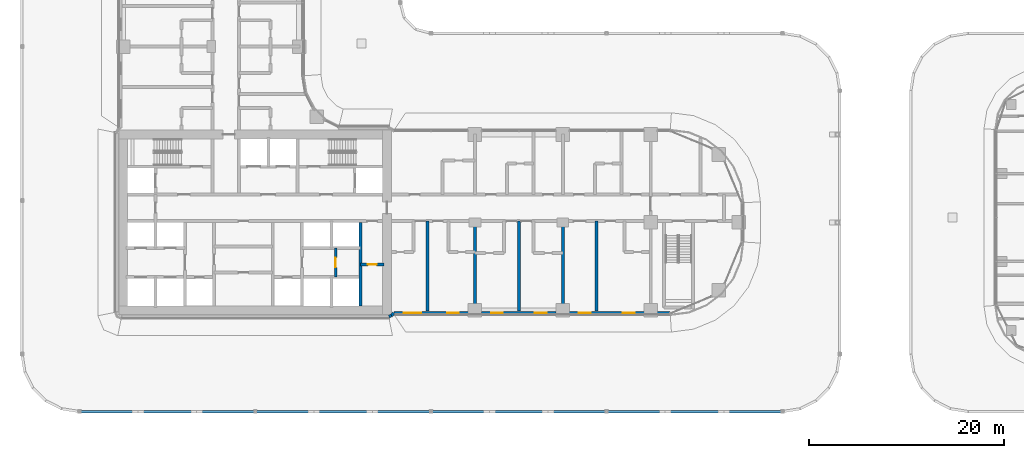
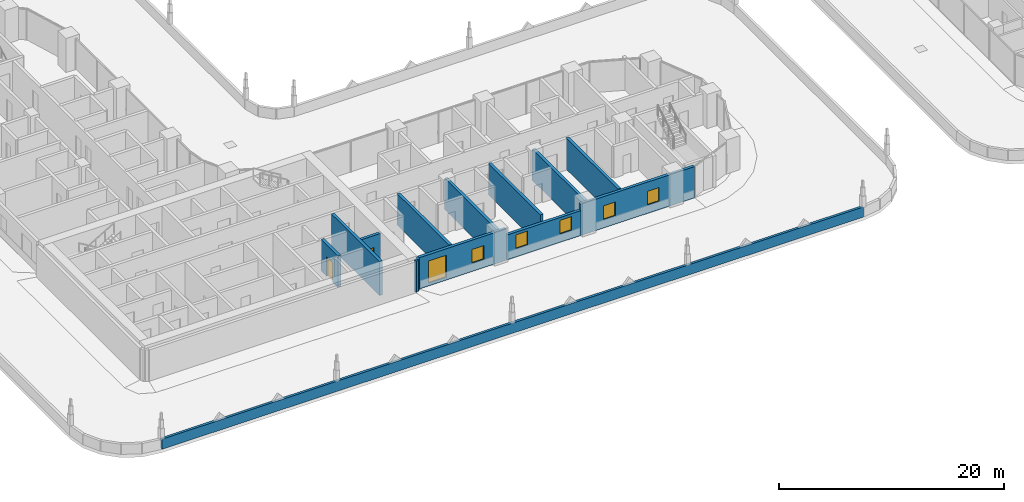
# One storey, part 23 of 51: 14 walls, 6 windows, 2 doors, 8 openings.
"""IFC4 building model written with IfcOpenShell, lengths in metres."""

from ifc_helpers import new_model, si_unit, direction, frame, frame_2d, origin, place, context, subcontext, project, spatial, rectangle, extrude, material, layer, layer_set, type_object, element, fill, save


model = new_model("IFC4")

# Units and contexts
model_context = context("Model", 3, precision=1e-05, world=origin(), true_north=direction((0.0, 1.0)))
body_context = subcontext(model_context, "Body", "Model", "MODEL_VIEW")
ifc_project = project(units=[si_unit("LENGTHUNIT", "METRE"), si_unit("AREAUNIT", "SQUARE_METRE"), si_unit("VOLUMEUNIT", "CUBIC_METRE"), si_unit("PLANEANGLEUNIT", "RADIAN"), si_unit("MASSUNIT", "GRAM", prefix="KILO")], contexts=[model_context])

# Site, building, storey
site_placement = place(None, origin())
site = spatial("IfcSite", under=ifc_project, at=site_placement, CompositionType="ELEMENT")
building_placement = place(site_placement, origin())
building = spatial("IfcBuilding", under=site, at=building_placement, Name="Ogive Portal Towers", CompositionType="ELEMENT")
storey_placement = place(building_placement, frame((0.0, 0.0, 33.5)))
storey = spatial("IfcBuildingStorey", under=building, at=storey_placement, Name="L06", CompositionType="ELEMENT", Elevation=33.5)

# Walls
ifc_material_1 = material(Name="Concrete C60/75", Category="concrete")
ifc_layer_1 = layer(ifc_material_1, 0.300048828125)
ifc_layer_set_1 = layer_set([ifc_layer_1], Name="CORE WALL 300 C60")
wall_type_1 = type_object("IfcWallType", Name="CORE WALL 300 C60", PredefinedType="SHEAR", material=ifc_layer_set_1)
wall_1_placement = place(storey_placement, frame((55.800048828125, 21.949951171875, 0.0), z_axis=(0.0, 0.0, 1.0), x_axis=(0.0, 1.0, 0.0)))
element("IfcWall", 1, at=wall_1_placement, inside=storey, type_object=wall_type_1, Name="Core wall X5 L06", PredefinedType="SHEAR", context=body_context, shape_type="SweptSolid", body=[
    extrude(rectangle(XDim=8.550048828125, YDim=0.300048828125, at=frame_2d((4.27490234375, 0.0))), origin(), (0.0, 0.0, 1.0), 3.699951171875),
])
ifc_material_2 = material(Name="Limestone cladding on lightweight block wall", Category="masonry")
ifc_layer_2 = layer(ifc_material_2, 0.300048828125)
ifc_layer_set_2 = layer_set([ifc_layer_2], Name="EXTERNAL WALL 300 STONE")
wall_type_2 = type_object("IfcWallType", Name="EXTERNAL WALL 300 STONE", PredefinedType="SOLIDWALL", material=ifc_layer_set_2)
wall_2_placement = place(storey_placement, frame((58.69775390625, 20.861328125, 0.0), z_axis=(0.0, 0.0, 1.0), x_axis=(0.923757413239, 0.38297812142, 0.0)))
element("IfcWall", 2, at=wall_2_placement, inside=storey, type_object=wall_type_2, Name="A:L06:f19:r0:wall", PredefinedType="SOLIDWALL", context=body_context, shape_type="SweptSolid", body=[
    extrude(rectangle(XDim=0.275390625, YDim=0.300048828125, at=frame_2d((0.1376953125, 0.0))), origin(), (0.0, 0.0, 1.0), 3.39990234375),
])
wall_3_placement = place(storey_placement, frame((58.9521484375, 20.966796875, 0.0), z_axis=(0.0, 0.0, 1.0), x_axis=(0.702144810536, 0.712034174065, 0.0)))
element("IfcWall", 3, at=wall_3_placement, inside=storey, type_object=wall_type_2, Name="A:L06:f20:r0:wall", PredefinedType="SOLIDWALL", context=body_context, shape_type="SweptSolid", body=[
    extrude(rectangle(XDim=0.345703125, YDim=0.300048828125, at=frame_2d((0.1728515625, 0.0))), origin(), (0.0, 0.0, 1.0), 3.39990234375),
])

# Wall, openings, windows
wall_4_placement = place(storey_placement, frame((59.206787109375, 21.22509765625, 0.0), z_axis=(0.0, 0.0, 1.0), x_axis=(1.0, 0.0, 0.0)))
wall_4 = element("IfcWall", 4, at=wall_4_placement, inside=storey, type_object=wall_type_2, Name="A:L06:f21:r0:wall", PredefinedType="SOLIDWALL", context=body_context, shape_type="SweptSolid", body=[
    extrude(rectangle(XDim=8.9931640625, YDim=0.300048828125, at=frame_2d((4.49658203125, 0.0))), origin(), (0.0, 0.0, 1.0), 3.39990234375),
])
opening_1_placement = place(wall_4_placement, frame((0.99658203125, 0.0, 0.300048828125)))
opening_1 = element("IfcOpeningElement", 5, at=opening_1_placement, cuts=wall_4, Name="Opening WN10", PredefinedType="OPENING", context=body_context, shape_type="SweptSolid", body=[
    extrude(rectangle(XDim=1.800048828125, YDim=2.39990234375, at=frame_2d((0.89990234375, 1.199951171875))), frame((0.0, 0.16015625, 0.0), z_axis=(0.0, -1.0, 0.0), x_axis=(1.0, 0.0, 0.0)), (0.0, 0.0, 1.0), 0.320068359375),
])
opening_2_placement = place(wall_4_placement, frame((5.443115234375, 0.0, 0.89990234375)))
opening_2 = element("IfcOpeningElement", 6, at=opening_2_placement, cuts=wall_4, Name="Opening WN9", PredefinedType="OPENING", context=body_context, shape_type="SweptSolid", body=[
    extrude(rectangle(XDim=1.199951171875, YDim=1.5, at=frame_2d((0.60009765625, 0.75))), frame((0.0, 0.16015625, 0.0), z_axis=(0.0, -1.0, 0.0), x_axis=(1.0, 0.0, 0.0)), (0.0, 0.0, 1.0), 0.320068359375),
])
ifc_material_3 = material(Name="Glass, clear low-iron insulated glazing", Category="glass")
window_type_1 = type_object("IfcWindowType", Name="WINDOW HOTEL CASEMENT 1200x1500", PartitioningType="DOUBLE_PANEL_VERTICAL", PredefinedType="WINDOW", material=ifc_material_3)
window_1_placement = place(opening_2_placement, origin())
window_1 = element("IfcWindow", 7, at=window_1_placement, inside=storey, type_object=window_type_1, Name="A:L06:f21:r0:w1", OverallHeight=1.5, OverallWidth=1.199951171875, PartitioningType="SINGLE_PANEL", PredefinedType="WINDOW", context=body_context, shape_type="SweptSolid", body=[
    extrude(rectangle(XDim=1.199951171875, YDim=1.5, at=frame_2d((0.60009765625, 0.75))), frame((0.0, 0.030029296875, 0.0), z_axis=(0.0, -1.0, 0.0), x_axis=(1.0, 0.0, 0.0)), (0.0, 0.0, 1.0), 0.06005859375),
])
fill(opening_2, window_1)
window_type_2 = type_object("IfcWindowType", Name="WINDOW SUITE CORNER 1800x2400", PartitioningType="DOUBLE_PANEL_VERTICAL", PredefinedType="WINDOW", material=ifc_material_3)
window_2_placement = place(opening_1_placement, origin())
window_2 = element("IfcWindow", 8, at=window_2_placement, inside=storey, type_object=window_type_2, Name="A:L06:f21:r0:w0", OverallHeight=2.39990234375, OverallWidth=1.800048828125, PartitioningType="SINGLE_PANEL", PredefinedType="WINDOW", context=body_context, shape_type="SweptSolid", body=[
    extrude(rectangle(XDim=1.800048828125, YDim=2.39990234375, at=frame_2d((0.89990234375, 1.199951171875))), frame((0.0, 0.030029296875, 0.0), z_axis=(0.0, -1.0, 0.0), x_axis=(1.0, 0.0, 0.0)), (0.0, 0.0, 1.0), 0.06005859375),
])
fill(opening_1, window_2)

wall_5_placement = place(storey_placement, frame((68.199951171875, 21.22509765625, 0.0), z_axis=(0.0, 0.0, 1.0), x_axis=(1.0, 0.0, 0.0)))
wall_5 = element("IfcWall", 9, at=wall_5_placement, inside=storey, type_object=wall_type_2, Name="A:L06:f21:r0:wall1", PredefinedType="SOLIDWALL", context=body_context, shape_type="SweptSolid", body=[
    extrude(rectangle(XDim=7.60009765625, YDim=0.300048828125, at=frame_2d((3.800048828125, 0.0))), origin(), (0.0, 0.0, 1.0), 2.699951171875),
])
opening_3_placement = place(wall_5_placement, frame((0.949951171875, 0.0, 0.89990234375)))
opening_3 = element("IfcOpeningElement", 10, at=opening_3_placement, cuts=wall_5, Name="Opening WN9", PredefinedType="OPENING", context=body_context, shape_type="SweptSolid", body=[
    extrude(rectangle(XDim=1.199951171875, YDim=1.5, at=frame_2d((0.60009765625, 0.75))), frame((0.0, 0.16015625, 0.0), z_axis=(0.0, -1.0, 0.0), x_axis=(1.0, 0.0, 0.0)), (0.0, 0.0, 1.0), 0.320068359375),
])
opening_4_placement = place(wall_5_placement, frame((5.449951171875, 0.0, 0.89990234375)))
opening_4 = element("IfcOpeningElement", 11, at=opening_4_placement, cuts=wall_5, Name="Opening WN9", PredefinedType="OPENING", context=body_context, shape_type="SweptSolid", body=[
    extrude(rectangle(XDim=1.199951171875, YDim=1.5, at=frame_2d((0.60009765625, 0.75))), frame((0.0, 0.16015625, 0.0), z_axis=(0.0, -1.0, 0.0), x_axis=(1.0, 0.0, 0.0)), (0.0, 0.0, 1.0), 0.320068359375),
])
window_3_placement = place(opening_3_placement, origin())
window_3 = element("IfcWindow", 12, at=window_3_placement, inside=storey, type_object=window_type_1, Name="A:L06:f21:r0:w2", OverallHeight=1.5, OverallWidth=1.199951171875, PartitioningType="SINGLE_PANEL", PredefinedType="WINDOW", context=body_context, shape_type="SweptSolid", body=[
    extrude(rectangle(XDim=1.199951171875, YDim=1.5, at=frame_2d((0.60009765625, 0.75))), frame((0.0, 0.030029296875, 0.0), z_axis=(0.0, -1.0, 0.0), x_axis=(1.0, 0.0, 0.0)), (0.0, 0.0, 1.0), 0.06005859375),
])
fill(opening_3, window_3)
window_4_placement = place(opening_4_placement, origin())
window_4 = element("IfcWindow", 13, at=window_4_placement, inside=storey, type_object=window_type_1, Name="A:L06:f21:r0:w3", OverallHeight=1.5, OverallWidth=1.199951171875, PartitioningType="SINGLE_PANEL", PredefinedType="WINDOW", context=body_context, shape_type="SweptSolid", body=[
    extrude(rectangle(XDim=1.199951171875, YDim=1.5, at=frame_2d((0.60009765625, 0.75))), frame((0.0, 0.030029296875, 0.0), z_axis=(0.0, -1.0, 0.0), x_axis=(1.0, 0.0, 0.0)), (0.0, 0.0, 1.0), 0.06005859375),
])
fill(opening_4, window_4)

wall_6_placement = place(storey_placement, frame((75.800048828125, 21.22509765625, 0.0), z_axis=(0.0, 0.0, 1.0), x_axis=(1.0, 0.0, 0.0)))
wall_6 = element("IfcWall", 14, at=wall_6_placement, inside=storey, type_object=wall_type_2, Name="A:L06:f21:r0:wall2", PredefinedType="SOLIDWALL", context=body_context, shape_type="SweptSolid", body=[
    extrude(rectangle(XDim=11.68408203125, YDim=0.300048828125, at=frame_2d((5.842041015625, 0.0))), origin(), (0.0, 0.0, 1.0), 3.39990234375),
])
opening_5_placement = place(wall_6_placement, frame((2.35009765625, 0.0, 0.89990234375)))
opening_5 = element("IfcOpeningElement", 15, at=opening_5_placement, cuts=wall_6, Name="Opening WN9", PredefinedType="OPENING", context=body_context, shape_type="SweptSolid", body=[
    extrude(rectangle(XDim=1.199951171875, YDim=1.5, at=frame_2d((0.60009765625, 0.75))), frame((0.0, 0.16015625, 0.0), z_axis=(0.0, -1.0, 0.0), x_axis=(1.0, 0.0, 0.0)), (0.0, 0.0, 1.0), 0.320068359375),
])
opening_6_placement = place(wall_6_placement, frame((6.85009765625, 0.0, 0.89990234375)))
opening_6 = element("IfcOpeningElement", 16, at=opening_6_placement, cuts=wall_6, Name="Opening WN9", PredefinedType="OPENING", context=body_context, shape_type="SweptSolid", body=[
    extrude(rectangle(XDim=1.199951171875, YDim=1.5, at=frame_2d((0.60009765625, 0.75))), frame((0.0, 0.16015625, 0.0), z_axis=(0.0, -1.0, 0.0), x_axis=(1.0, 0.0, 0.0)), (0.0, 0.0, 1.0), 0.320068359375),
])
window_5_placement = place(opening_5_placement, origin())
window_5 = element("IfcWindow", 17, at=window_5_placement, inside=storey, type_object=window_type_1, Name="A:L06:f21:r0:w4", OverallHeight=1.5, OverallWidth=1.199951171875, PartitioningType="SINGLE_PANEL", PredefinedType="WINDOW", context=body_context, shape_type="SweptSolid", body=[
    extrude(rectangle(XDim=1.199951171875, YDim=1.5, at=frame_2d((0.60009765625, 0.75))), frame((0.0, 0.030029296875, 0.0), z_axis=(0.0, -1.0, 0.0), x_axis=(1.0, 0.0, 0.0)), (0.0, 0.0, 1.0), 0.06005859375),
])
fill(opening_5, window_5)
window_6_placement = place(opening_6_placement, origin())
window_6 = element("IfcWindow", 18, at=window_6_placement, inside=storey, type_object=window_type_1, Name="A:L06:f21:r0:w5", OverallHeight=1.5, OverallWidth=1.199951171875, PartitioningType="SINGLE_PANEL", PredefinedType="WINDOW", context=body_context, shape_type="SweptSolid", body=[
    extrude(rectangle(XDim=1.199951171875, YDim=1.5, at=frame_2d((0.60009765625, 0.75))), frame((0.0, 0.030029296875, 0.0), z_axis=(0.0, -1.0, 0.0), x_axis=(1.0, 0.0, 0.0)), (0.0, 0.0, 1.0), 0.06005859375),
])
fill(opening_6, window_6)

# Wall
ifc_layer_3 = layer(ifc_material_2, 0.25)
ifc_layer_set_3 = layer_set([ifc_layer_3], Name="PARAPET 250 STONE")
wall_type_3 = type_object("IfcWallType", Name="PARAPET 250 STONE", PredefinedType="PARAPET", material=ifc_layer_set_3)
wall_7_placement = place(storey_placement, frame((27.019775390625, 11.125, 0.0), z_axis=(0.0, 0.0, 1.0), x_axis=(1.0, 0.0, 0.0)))
element("IfcWall", 19, at=wall_7_placement, inside=storey, type_object=wall_type_3, Name="A:L06:proof0:para06", PredefinedType="PARAPET", context=body_context, shape_type="SweptSolid", body=[
    extrude(rectangle(XDim=71.96044921875, YDim=0.25, at=frame_2d((35.980224609375, 0.0))), origin(), (0.0, 0.0, 1.0), 1.10009765625),
])

# Wall, opening, door
ifc_material_4 = material(Name="Gypsum board partition on steel studs", Category="steel")
ifc_layer_4 = layer(ifc_material_4, 0.300048828125)
ifc_layer_set_4 = layer_set([ifc_layer_4], Name="WT-PART-300")
wall_type_4 = type_object("IfcWallType", Name="WT-PART-300", PredefinedType="PARTITIONING", material=ifc_layer_set_4)
wall_8_placement = place(storey_placement, frame((55.800048828125, 26.199951171875, 0.0), z_axis=(0.0, 0.0, 1.0), x_axis=(1.0, 0.0, 0.0)))
wall_8 = element("IfcWall", 20, at=wall_8_placement, inside=storey, type_object=wall_type_4, Name="Wall pw:004:L06", PredefinedType="PARTITIONING", context=body_context, shape_type="SweptSolid", body=[
    extrude(rectangle(XDim=2.39990234375, YDim=0.300048828125, at=frame_2d((1.199951171875, 0.0))), origin(), (0.0, 0.0, 1.0), 3.39990234375),
])
opening_7_placement = place(wall_8_placement, frame((0.75, 0.0, 0.0)))
opening_7 = element("IfcOpeningElement", 21, at=opening_7_placement, cuts=wall_8, Name="Opening D01-010", PredefinedType="OPENING", context=body_context, shape_type="SweptSolid", body=[
    extrude(rectangle(XDim=0.89990234375, YDim=2.10009765625, at=frame_2d((0.449951171875, 1.050048828125))), frame((0.0, 0.16015625, 0.0), z_axis=(0.0, -1.0, 0.0), x_axis=(1.0, 0.0, 0.0)), (0.0, 0.0, 1.0), 0.320068359375),
])
ifc_material_5 = material(Name="Steel fire door", Category="steel")
door_type_1 = type_object("IfcDoorType", Name="DT-SWING-900x2100-FD60S", OperationType="SINGLE_SWING_LEFT", PredefinedType="DOOR", material=ifc_material_5)
door_1_placement = place(opening_7_placement, origin())
door_1 = element("IfcDoor", 22, at=door_1_placement, inside=storey, type_object=door_type_1, Name="Door D01-010", OperationType="SINGLE_SWING_RIGHT", OverallHeight=2.10009765625, OverallWidth=0.89990234375, PredefinedType="DOOR", context=body_context, shape_type="SweptSolid", body=[
    extrude(rectangle(XDim=0.89990234375, YDim=2.10009765625, at=frame_2d((0.449951171875, 1.050048828125))), frame((0.0, 0.02490234375, 0.0), z_axis=(0.0, -1.0, 0.0), x_axis=(1.0, 0.0, 0.0)), (0.0, 0.0, 1.0), 0.050048828125),
])
fill(opening_7, door_1)

# Walls
ifc_layer_5 = layer(ifc_material_4, 0.300048828125)
ifc_layer_set_5 = layer_set([ifc_layer_5], Name="WT-PART-300-EI 60")
wall_type_5 = type_object("IfcWallType", Name="WT-PART-300-EI 60", PredefinedType="PARTITIONING", material=ifc_layer_set_5)
for number, where, z_axis, x_axis, name in (
    (23, (62.639892578125, 21.425048828125, 0.0), (0.0, 0.0, 1.0), (0.0, 1.0, 0.0), "Wall L06:w049"),
    (24, (67.5, 21.425048828125, 0.0), (0.0, 0.0, 1.0), (0.0, 1.0, 0.0), "Wall L06:w052"),
    (25, (72.0, 21.425048828125, 0.0), (0.0, 0.0, 1.0), (0.0, 1.0, 0.0), "Wall L06:w056"),
    (26, (76.5, 21.425048828125, 0.0), (0.0, 0.0, 1.0), (0.0, 1.0, 0.0), "Wall L06:w059"),
    (27, (79.969970703125, 21.425048828125, 0.0), (0.0, 0.0, 1.0), (0.0, 1.0, 0.0), "Wall L06:w062"),
):
    element("IfcWall", number, at=place(storey_placement, frame(where, z_axis=z_axis, x_axis=x_axis)), inside=storey, type_object=wall_type_5, Name=name, PredefinedType="PARTITIONING", context=body_context, shape_type="SweptSolid", body=[
        extrude(rectangle(XDim=9.224853515625, YDim=0.300048828125, at=frame_2d((4.6123046875, 0.0))), origin(), (0.0, 0.0, 1.0), 3.39990234375),
    ])

# Wall, opening, door
ifc_material_6 = material(Name="Concrete C40/50", Category="concrete")
ifc_layer_6 = layer(ifc_material_6, 0.300048828125)
ifc_layer_set_6 = layer_set([ifc_layer_6], Name="WT-SHAFT-300")
wall_type_6 = type_object("IfcWallType", Name="WT-SHAFT-300", PredefinedType="SOLIDWALL", material=ifc_layer_set_6)
wall_9_placement = place(storey_placement, frame((53.25, 24.89990234375, 0.0), z_axis=(0.0, 0.0, 1.0), x_axis=(0.0, 1.0, 0.0)))
wall_9 = element("IfcWall", 28, at=wall_9_placement, inside=storey, type_object=wall_type_6, Name="Wall pw:013:L06", PredefinedType="SOLIDWALL", context=body_context, shape_type="SweptSolid", body=[
    extrude(rectangle(XDim=3.0, YDim=0.300048828125, at=frame_2d((1.5, 0.0))), origin(), (0.0, 0.0, 1.0), 3.39990234375),
])
opening_8_placement = place(wall_9_placement, frame((1.0, 0.0, 0.0)))
opening_8 = element("IfcOpeningElement", 29, at=opening_8_placement, cuts=wall_9, Name="Opening D01-025", PredefinedType="OPENING", context=body_context, shape_type="SweptSolid", body=[
    extrude(rectangle(XDim=1.0, YDim=2.10009765625, at=frame_2d((0.5, 1.050048828125))), frame((0.0, 0.16015625, 0.0), z_axis=(0.0, -1.0, 0.0), x_axis=(1.0, 0.0, 0.0)), (0.0, 0.0, 1.0), 0.320068359375),
])
door_type_2 = type_object("IfcDoorType", Name="DT-SWING-1000x2100-FD90S", OperationType="SINGLE_SWING_LEFT", PredefinedType="DOOR", material=ifc_material_5)
door_2_placement = place(opening_8_placement, origin())
door_2 = element("IfcDoor", 30, at=door_2_placement, inside=storey, type_object=door_type_2, Name="Door D01-025", OperationType="SINGLE_SWING_RIGHT", OverallHeight=2.10009765625, OverallWidth=1.0, PredefinedType="DOOR", context=body_context, shape_type="SweptSolid", body=[
    extrude(rectangle(XDim=1.0, YDim=2.10009765625, at=frame_2d((0.5, 1.050048828125))), frame((0.0, 0.02490234375, 0.0), z_axis=(0.0, -1.0, 0.0), x_axis=(1.0, 0.0, 0.0)), (0.0, 0.0, 1.0), 0.050048828125),
])
fill(opening_8, door_2)

save(model, "model.ifc")
